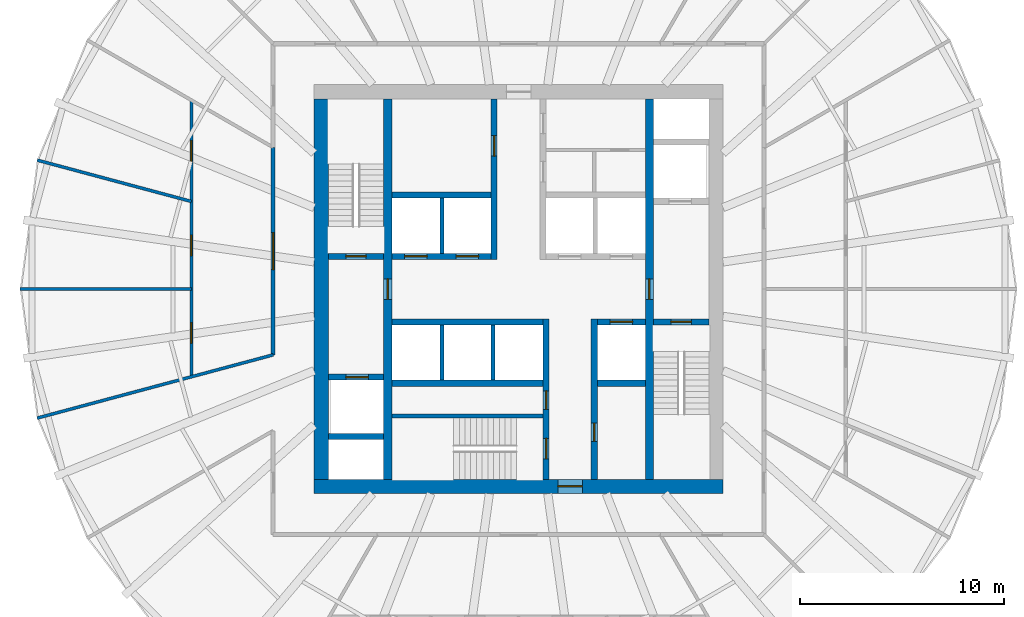
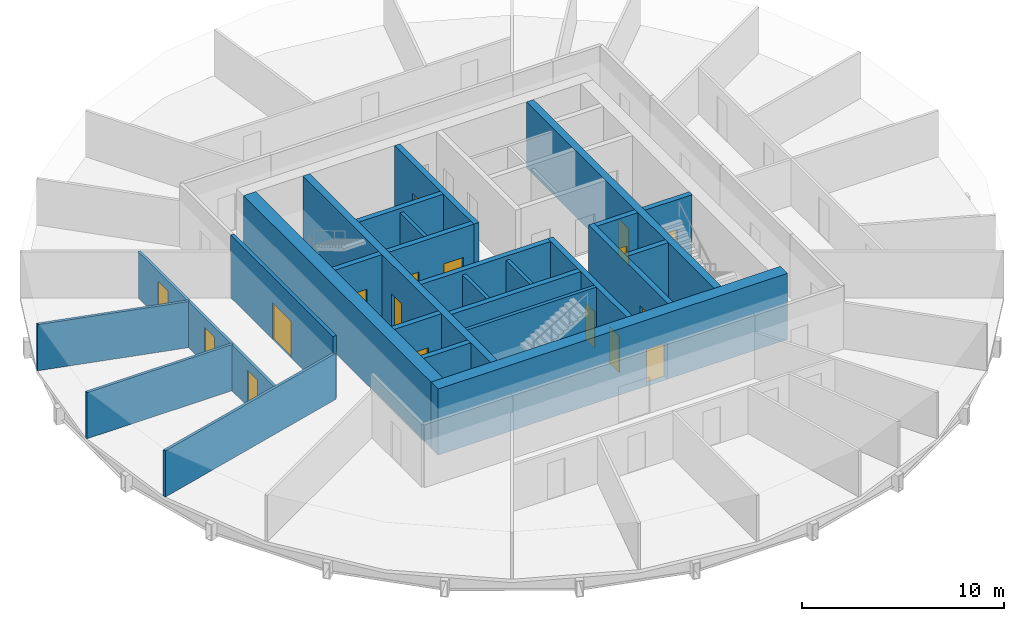
# One storey, part 3 of 6: 26 walls, 17 doors, 17 openings.
"""IFC4 building model written with IfcOpenShell, lengths in metres."""

import ifcopenshell
import ifcopenshell.guid

model = None  # the IFC model being written
_history = None  # IfcOwnerHistory: only IFC2X3 demands one
_inside = {}  # id of a spatial element -> (the spatial element, [elements in it])
_under = {}  # id of a project, library or spatial element -> (it, [spatial elements below it])
_declared = {}  # id of a project -> (the project, [libraries it declares])
_typed = {}  # id of a type object -> (the type object, [elements of that type])
_made_of = {}  # id of a material, layer set ... -> (it, [elements and type objects made of it])


def new_model(schema):
    """Start an empty IFC model of exactly this schema.

    Asked for "IFC4X3", IfcOpenShell would pick the latest addendum, in which some entities
    have other attributes; the version numbers below select the first issue.
    IFC2X3 requires an IfcOwnerHistory on every rooted entity: one is made here for all.
    """
    global model, _history
    if schema == "IFC4X3":
        model = ifcopenshell.file(schema_version=(4, 3, 0, 0))
    else:
        model = ifcopenshell.file(schema=schema)
    _inside.clear()
    _under.clear()
    _declared.clear()
    _typed.clear()
    _made_of.clear()
    _history = None
    if model.schema == "IFC2X3":
        org = make("IfcOrganization", Name="unknown")
        user = make(
            "IfcPersonAndOrganization",
            ThePerson=make("IfcPerson", FamilyName="unknown"),
            TheOrganization=org,
        )
        app = make(
            "IfcApplication",
            ApplicationDeveloper=org,
            Version="unknown",
            ApplicationFullName="unknown",
            ApplicationIdentifier="unknown",
        )
        _history = make(
            "IfcOwnerHistory",
            OwningUser=user,
            OwningApplication=app,
            ChangeAction="ADDED",
            CreationDate=0,
        )
    return model


def make(cls, **values):
    """One entity of the class cls with the attributes given. An attribute that is None is left unset."""
    return model.create_entity(
        cls, **{name: value for name, value in values.items() if value is not None}
    )


def rooted(cls, **values):
    """An entity with a GlobalId (a new one), such as an element, a storey or a relation."""
    return make(cls, GlobalId=ifcopenshell.guid.new(), OwnerHistory=_history, **values)


def si_unit(unit_type, name, prefix=None):
    """IfcSIUnit, for example si_unit("LENGTHUNIT", "METRE", prefix="MILLI")."""
    return make("IfcSIUnit", UnitType=unit_type, Prefix=prefix, Name=name)


def assignment(units):
    """IfcUnitAssignment: the units of a project."""
    return None if units is None else make("IfcUnitAssignment", Units=units)


def point(xyz):
    """IfcCartesianPoint."""
    return None if xyz is None else make("IfcCartesianPoint", Coordinates=xyz)


def direction(xyz):
    """IfcDirection."""
    return None if xyz is None else make("IfcDirection", DirectionRatios=xyz)


def frame(location, z_axis=None, x_axis=None):
    """IfcAxis2Placement3D, a coordinate frame: its origin and axes. An axis left out is left unset."""
    return make(
        "IfcAxis2Placement3D",
        Location=point(location),
        Axis=direction(z_axis),
        RefDirection=direction(x_axis),
    )


def frame_2d(location, x_axis=None):
    """IfcAxis2Placement2D, a coordinate frame in the plane: its origin and x axis."""
    return make(
        "IfcAxis2Placement2D", Location=point(location), RefDirection=direction(x_axis)
    )


def origin():
    """The frame at (0, 0, 0) with its axes left unset."""
    return frame((0.0, 0.0, 0.0))


def place(relative_to, where):
    """IfcLocalPlacement: puts the frame where relative to a parent placement (None: the world)."""
    return make(
        "IfcLocalPlacement", PlacementRelTo=relative_to, RelativePlacement=where
    )


def context(
    kind, dimensions, precision=None, world=None, true_north=None, identifier=None
):
    """IfcGeometricRepresentationContext, for example the 3D "Model" context."""
    return make(
        "IfcGeometricRepresentationContext",
        ContextIdentifier=identifier,
        ContextType=kind,
        CoordinateSpaceDimension=dimensions,
        Precision=precision,
        WorldCoordinateSystem=world,
        TrueNorth=true_north,
    )


def subcontext(parent, identifier, kind, view, scale=None):
    """IfcGeometricRepresentationSubContext, for example "Body" below "Model"."""
    return make(
        "IfcGeometricRepresentationSubContext",
        ContextIdentifier=identifier,
        ContextType=kind,
        ParentContext=parent,
        TargetScale=scale,
        TargetView=view,
    )


def project(units=None, contexts=None):
    """IfcProject with its units and contexts."""
    return rooted(
        "IfcProject",
        Name="project",
        RepresentationContexts=contexts,
        UnitsInContext=assignment(units),
    )


def spatial(cls, under=None, at=None, **own):
    """A site, building, storey or space (cls), placed at a placement, below another one or the project."""
    s = rooted(cls, ObjectPlacement=at, **own)
    if under is not None:
        _under.setdefault(under.id(), (under, []))[1].append(s)
    return s


def profile(cls, at=None, kind="AREA", **sizes):
    """A parametric profile (cls). Its sizes go by their IFC names, for example OverallWidth=200.0."""
    return make(cls, ProfileType=kind, Position=at, **sizes)


def rectangle(**sizes):
    """IfcRectangleProfileDef."""
    return profile("IfcRectangleProfileDef", **sizes)


def extrude(swept, where, along, depth):
    """IfcExtrudedAreaSolid: the profile swept, set in the frame where, extruded along a direction by depth."""
    return make(
        "IfcExtrudedAreaSolid",
        SweptArea=swept,
        Position=where,
        ExtrudedDirection=direction(along),
        Depth=depth,
    )


def shape(context_of_items, identifier, shape_type, items):
    """IfcShapeRepresentation: the items that make up one representation, for example the "Body"."""
    return make(
        "IfcShapeRepresentation",
        ContextOfItems=context_of_items,
        RepresentationIdentifier=identifier,
        RepresentationType=shape_type,
        Items=items,
    )


def material(Name=None, Category=None):
    """IfcMaterial."""
    return make("IfcMaterial", Name=Name, Category=Category)


def layer(
    of_material, thickness, ventilated=None, Name=None, Category=None, Priority=None
):
    """IfcMaterialLayer: one layer of a wall or slab, of a material (None: an air gap)."""
    return make(
        "IfcMaterialLayer",
        Material=of_material,
        LayerThickness=thickness,
        IsVentilated=ventilated,
        Name=Name,
        Category=Category,
        Priority=Priority,
    )


def layer_set(layers, Name=None):
    """IfcMaterialLayerSet."""
    return make("IfcMaterialLayerSet", MaterialLayers=layers, LayerSetName=Name)


def made_of(thing, what):
    """Note that an element or type object is made of a material, layer set ...; save() writes the relation."""
    if what is not None:
        _made_of.setdefault(what.id(), (what, []))[1].append(thing)
    return thing


def type_object(cls, material=None, **own):
    """A type object (cls), such as IfcWallType, which elements share."""
    return made_of(rooted(cls, **own), material)


def element(
    cls,
    number,
    at=None,
    inside=None,
    cuts=None,
    type_object=None,
    material=None,
    context=None,
    identifier="Body",
    shape_type=None,
    held_by="IfcProductDefinitionShape",
    body=None,
    shapes=None,
    **own,
):
    """One element of the class cls, such as IfcWall. Its Tag is "e" and its number.

    at: its placement. inside: the storey or other place that contains it. cuts: it is an
    opening in that element (IfcRelVoidsElement). A single representation is given by context,
    identifier, shape_type and body (its items); several are given by shapes. held_by: the class
    of the entity that holds the representations. save() writes the other relations.
    """
    e = rooted(cls, Tag="e%d" % number, ObjectPlacement=at, **own)
    if body is not None:
        shapes = [shape(context, identifier, shape_type, body)]
    if shapes is not None:
        e.Representation = make(held_by, Representations=shapes)
    if inside is not None:
        _inside.setdefault(inside.id(), (inside, []))[1].append(e)
    if cuts is not None:
        rooted(
            "IfcRelVoidsElement", RelatingBuildingElement=cuts, RelatedOpeningElement=e
        )
    if type_object is not None:
        _typed.setdefault(type_object.id(), (type_object, []))[1].append(e)
    return made_of(e, material)


def fill(opening, filler):
    """IfcRelFillsElement: the door or window that sits in an opening."""
    return rooted(
        "IfcRelFillsElement",
        RelatingOpeningElement=opening,
        RelatedBuildingElement=filler,
    )


def aggregate(whole, parts):
    """IfcRelAggregates: a whole, such as a stair, and the parts it consists of."""
    return rooted("IfcRelAggregates", RelatingObject=whole, RelatedObjects=parts)


def save(model, path):
    """Write the relations noted so far, then the file.

    IfcRelAggregates (storeys below a building ...), IfcRelContainedInSpatialStructure (elements
    in a storey), IfcRelDefinesByType, IfcRelAssociatesMaterial and IfcRelDeclares: one each for
    every whole, place, type object, material and project.
    """
    for whole, parts in _under.values():
        aggregate(whole, parts)
    for where, things in _inside.values():
        rooted(
            "IfcRelContainedInSpatialStructure",
            RelatedElements=things,
            RelatingStructure=where,
        )
    for kind, things in _typed.values():
        rooted("IfcRelDefinesByType", RelatedObjects=things, RelatingType=kind)
    for what, things in _made_of.values():
        rooted("IfcRelAssociatesMaterial", RelatedObjects=things, RelatingMaterial=what)
    for by, libraries in _declared.values():
        rooted("IfcRelDeclares", RelatingContext=by, RelatedDefinitions=libraries)
    model.write(path)


model = new_model("IFC4")

# Units and contexts
model_context = context("Model", 3, precision=1e-05, world=origin(), true_north=direction((0.0, 1.0)))
body_context = subcontext(model_context, "Body", "Model", "MODEL_VIEW")
ifc_project = project(units=[si_unit("LENGTHUNIT", "METRE"), si_unit("AREAUNIT", "SQUARE_METRE"), si_unit("VOLUMEUNIT", "CUBIC_METRE"), si_unit("PLANEANGLEUNIT", "RADIAN"), si_unit("MASSUNIT", "GRAM", prefix="KILO")], contexts=[model_context])

# Site, building, storey
site_placement = place(None, origin())
site = spatial("IfcSite", under=ifc_project, at=site_placement, CompositionType="ELEMENT")
building_placement = place(site_placement, origin())
building = spatial("IfcBuilding", under=site, at=building_placement, Name="Golbaran Civic Tower", CompositionType="ELEMENT")
storey_placement = place(building_placement, frame((0.0, 0.0, 94.0)))
storey = spatial("IfcBuildingStorey", under=building, at=storey_placement, Name="L22", CompositionType="ELEMENT", Elevation=94.0)

# Wall, opening, door
ifc_material_1 = material(Name="Concrete C50/60", Category="concrete")
ifc_layer_1 = layer(ifc_material_1, 0.39990234375, Name="Concrete C50/60")
ifc_layer_set_1 = layer_set([ifc_layer_1], Name="Concrete C50/60")
wall_type_1 = type_object("IfcWallType", Name="CORE WALL CONCRETE 400", PredefinedType="SOLIDWALL", material=ifc_layer_set_1)
wall_1_placement = place(storey_placement, frame((-6.39990234375, -9.300048828125, 0.0), z_axis=(0.0, 0.0, 1.0), x_axis=(0.0, 1.0, 0.0)))
wall_1 = element("IfcWall", 1, at=wall_1_placement, inside=storey, type_object=wall_type_1, Name="Core wall IW L22", PredefinedType="SOLIDWALL", context=body_context, shape_type="SweptSolid", body=[
    extrude(rectangle(XDim=18.60009765625, YDim=0.39990234375, at=frame_2d((9.300048828125, 0.0))), origin(), (0.0, 0.0, 1.0), 4.0),
])
opening_1_placement = place(wall_1_placement, frame((8.800048828125, 0.0, 0.0)))
opening_1 = element("IfcOpeningElement", 2, at=opening_1_placement, cuts=wall_1, Name="Opening L22.FL1", PredefinedType="OPENING", context=body_context, shape_type="SweptSolid", body=[
    extrude(rectangle(XDim=1.0, YDim=2.199951171875, at=frame_2d((0.5, 1.10009765625))), frame((0.0, 0.2099609375, 0.0), z_axis=(0.0, -1.0, 0.0), x_axis=(1.0, 0.0, 0.0)), (0.0, 0.0, 1.0), 0.419921875),
])
ifc_material_2 = material(Name="Timber door set in steel frame", Category="steel")
door_type_1 = type_object("IfcDoorType", Name="STAIR DOOR 1000x2200", OperationType="SINGLE_SWING_LEFT", PredefinedType="DOOR", material=ifc_material_2)
door_1_placement = place(opening_1_placement, origin())
door_1 = element("IfcDoor", 3, at=door_1_placement, inside=storey, type_object=door_type_1, Name="Fire-fighting lobby FL1 door", OperationType="SINGLE_SWING_LEFT", OverallHeight=2.199951171875, OverallWidth=1.0, PredefinedType="DOOR", context=body_context, shape_type="SweptSolid", body=[
    extrude(rectangle(XDim=1.0, YDim=2.199951171875, at=frame_2d((0.5, 1.10009765625))), frame((0.0, 0.02490234375, 0.0), z_axis=(0.0, -1.0, 0.0), x_axis=(1.0, 0.0, 0.0)), (0.0, 0.0, 1.0), 0.050048828125),
])
fill(opening_1, door_1)

wall_2_placement = place(storey_placement, frame((6.39990234375, 9.300048828125, 0.0), z_axis=(0.0, 0.0, 1.0), x_axis=(0.0, -1.0, 0.0)))
wall_2 = element("IfcWall", 4, at=wall_2_placement, inside=storey, type_object=wall_type_1, Name="Core wall IE L22", PredefinedType="SOLIDWALL", context=body_context, shape_type="SweptSolid", body=[
    extrude(rectangle(XDim=18.60009765625, YDim=0.39990234375, at=frame_2d((9.300048828125, 0.0))), origin(), (0.0, 0.0, 1.0), 4.0),
])
opening_2_placement = place(wall_2_placement, frame((8.800048828125, 0.0, 0.0)))
opening_2 = element("IfcOpeningElement", 5, at=opening_2_placement, cuts=wall_2, Name="Opening L22.FL2", PredefinedType="OPENING", context=body_context, shape_type="SweptSolid", body=[
    extrude(rectangle(XDim=1.0, YDim=2.199951171875, at=frame_2d((0.5, 1.10009765625))), frame((0.0, 0.2099609375, 0.0), z_axis=(0.0, -1.0, 0.0), x_axis=(1.0, 0.0, 0.0)), (0.0, 0.0, 1.0), 0.419921875),
])
door_2_placement = place(opening_2_placement, origin())
door_2 = element("IfcDoor", 6, at=door_2_placement, inside=storey, type_object=door_type_1, Name="Fire-fighting lobby FL2 door", OperationType="SINGLE_SWING_RIGHT", OverallHeight=2.199951171875, OverallWidth=1.0, PredefinedType="DOOR", context=body_context, shape_type="SweptSolid", body=[
    extrude(rectangle(XDim=1.0, YDim=2.199951171875, at=frame_2d((0.5, 1.10009765625))), frame((0.0, 0.02490234375, 0.0), z_axis=(0.0, -1.0, 0.0), x_axis=(1.0, 0.0, 0.0)), (0.0, 0.0, 1.0), 0.050048828125),
])
fill(opening_2, door_2)

ifc_layer_2 = layer(ifc_material_1, 0.699951171875, Name="Concrete C50/60")
ifc_layer_set_2 = layer_set([ifc_layer_2], Name="Concrete C50/60")
wall_type_2 = type_object("IfcWallType", Name="CORE WALL CONCRETE 700", PredefinedType="SOLIDWALL", material=ifc_layer_set_2)
wall_3_placement = place(storey_placement, frame((10.0, -9.64990234375, 0.0), z_axis=(0.0, 0.0, 1.0), x_axis=(-1.0, 0.0, 0.0)))
wall_3 = element("IfcWall", 7, at=wall_3_placement, inside=storey, type_object=wall_type_2, Name="Core wall CS L22", PredefinedType="SOLIDWALL", context=body_context, shape_type="SweptSolid", body=[
    extrude(rectangle(XDim=20.0, YDim=0.699951171875, at=frame_2d((10.0, 0.0))), origin(), (0.0, 0.0, 1.0), 4.0),
])
opening_3_placement = place(wall_3_placement, frame((6.875, 0.0, 0.0)))
opening_3 = element("IfcOpeningElement", 8, at=opening_3_placement, cuts=wall_3, Name="Opening L22.CS", PredefinedType="OPENING", context=body_context, shape_type="SweptSolid", body=[
    extrude(rectangle(XDim=1.199951171875, YDim=2.199951171875, at=frame_2d((0.60009765625, 1.10009765625))), frame((0.0, 0.35986328125, 0.0), z_axis=(0.0, -1.0, 0.0), x_axis=(1.0, 0.0, 0.0)), (0.0, 0.0, 1.0), 0.719970703125),
])
door_type_2 = type_object("IfcDoorType", Name="CORE DOOR 1200x2200", OperationType="DOUBLE_DOOR_SINGLE_SWING", PredefinedType="DOOR", material=ifc_material_2)
door_3_placement = place(opening_3_placement, origin())
door_3 = element("IfcDoor", 9, at=door_3_placement, inside=storey, type_object=door_type_2, Name="Core door south", OperationType="DOUBLE_DOOR_SINGLE_SWING", OverallHeight=2.199951171875, OverallWidth=1.199951171875, PredefinedType="DOOR", context=body_context, shape_type="SweptSolid", body=[
    extrude(rectangle(XDim=1.199951171875, YDim=2.199951171875, at=frame_2d((0.60009765625, 1.10009765625))), frame((0.0, 0.02490234375, 0.0), z_axis=(0.0, -1.0, 0.0), x_axis=(1.0, 0.0, 0.0)), (0.0, 0.0, 1.0), 0.050048828125),
])
fill(opening_3, door_3)

# Wall
wall_4_placement = place(storey_placement, frame((-9.64990234375, 9.300048828125, 0.0), z_axis=(0.0, 0.0, 1.0), x_axis=(0.0, -1.0, 0.0)))
element("IfcWall", 10, at=wall_4_placement, inside=storey, type_object=wall_type_2, Name="Core wall CW L22", PredefinedType="SOLIDWALL", context=body_context, shape_type="SweptSolid", body=[
    extrude(rectangle(XDim=18.60009765625, YDim=0.699951171875, at=frame_2d((9.300048828125, 0.0))), origin(), (0.0, 0.0, 1.0), 4.0),
])

# Wall, opening, door
ifc_material_3 = material(Name="Gypsum board on steel studs, fire-rated", Category="steel")
ifc_layer_3 = layer(ifc_material_3, 0.199951171875, Name="Gypsum board on steel studs, fire-rated")
ifc_layer_set_3 = layer_set([ifc_layer_3], Name="Gypsum board on steel studs, fire-rated")
wall_type_3 = type_object("IfcWallType", Name="CORRIDOR WALL 200", PredefinedType="PARTITIONING", material=ifc_layer_set_3)
wall_5_placement = place(storey_placement, frame((-12.0, 6.92822265625, 0.0), z_axis=(0.0, 0.0, 1.0), x_axis=(0.0, -1.0, 0.0)))
wall_5 = element("IfcWall", 11, at=wall_5_placement, inside=storey, type_object=wall_type_3, Name="Corridor wall L22", PredefinedType="PARTITIONING", context=body_context, shape_type="SweptSolid", body=[
    extrude(rectangle(XDim=10.1435546875, YDim=0.199951171875, at=frame_2d((5.07177734375, 0.0))), origin(), (0.0, 0.0, 1.0), 3.800048828125),
])
opening_4_placement = place(wall_5_placement, frame((4.171875, 0.0, 0.0)))
opening_4 = element("IfcOpeningElement", 12, at=opening_4_placement, cuts=wall_5, Name="Opening L22.24", PredefinedType="OPENING", context=body_context, shape_type="SweptSolid", body=[
    extrude(rectangle(XDim=1.800048828125, YDim=2.199951171875, at=frame_2d((0.89990234375, 1.10009765625))), frame((0.0, 0.10986328125, 0.0), z_axis=(0.0, -1.0, 0.0), x_axis=(1.0, 0.0, 0.0)), (0.0, 0.0, 1.0), 0.219970703125),
])
door_type_3 = type_object("IfcDoorType", Name="OFFICE DOUBLE DOOR 1800x2200", OperationType="DOUBLE_DOOR_SINGLE_SWING", PredefinedType="DOOR", material=ifc_material_2)
door_4_placement = place(opening_4_placement, origin())
door_4 = element("IfcDoor", 13, at=door_4_placement, inside=storey, type_object=door_type_3, Name="Secretariat door L22", OperationType="DOUBLE_DOOR_SINGLE_SWING", OverallHeight=2.199951171875, OverallWidth=1.800048828125, PredefinedType="DOOR", context=body_context, shape_type="SweptSolid", body=[
    extrude(rectangle(XDim=1.800048828125, YDim=2.199951171875, at=frame_2d((0.89990234375, 1.10009765625))), frame((0.0, 0.02490234375, 0.0), z_axis=(0.0, -1.0, 0.0), x_axis=(1.0, 0.0, 0.0)), (0.0, 0.0, 1.0), 0.050048828125),
])
fill(opening_4, door_4)

# Walls
ifc_material_4 = material(Name="Concrete block", Category="concrete")
ifc_layer_4 = layer(ifc_material_4, 0.199951171875, Name="Concrete block")
ifc_layer_set_4 = layer_set([ifc_layer_4], Name="Concrete block")
wall_type_4 = type_object("IfcWallType", Name="LIFT SEPARATOR WALL 200", PredefinedType="SOLIDWALL", material=ifc_layer_set_4)
for number, where, z_axis, x_axis, name in (
    (14, (-3.75, 1.75, 0.0), (0.0, 0.0, 1.0), (0.0, 1.0, 0.0), "Core partition SNW L22"),
    (15, (-3.75, -1.75, 0.0), (0.0, 0.0, 1.0), (0.0, -1.0, 0.0), "Core partition SSW L22"),
    (16, (-1.25, -1.75, 0.0), (0.0, 0.0, 1.0), (0.0, -1.0, 0.0), "Core partition SSM L22"),
):
    element("IfcWall", number, at=place(storey_placement, frame(where, z_axis=z_axis, x_axis=x_axis)), inside=storey, type_object=wall_type_4, Name=name, PredefinedType="SOLIDWALL", context=body_context, shape_type="SweptSolid", body=[
        extrude(rectangle(XDim=2.699951171875, YDim=0.199951171875, at=frame_2d((1.35009765625, 0.0))), origin(), (0.0, 0.0, 1.0), 3.75),
    ])
ifc_material_5 = material(Name="Gypsum board on steel studs", Category="steel")
ifc_layer_5 = layer(ifc_material_5, 0.14990234375, Name="Gypsum board on steel studs")
ifc_layer_set_5 = layer_set([ifc_layer_5], Name="Gypsum board on steel studs")
wall_type_5 = type_object("IfcWallType", Name="OFFICE PARTITION 150", PredefinedType="PARTITIONING", material=ifc_layer_set_5)
wall_6_placement = place(storey_placement, frame((-12.0, -3.21533203125, 0.0), z_axis=(0.0, 0.0, 1.0), x_axis=(-0.965926615498, -0.258816099716, 0.0)))
element("IfcWall", 17, at=wall_6_placement, inside=storey, type_object=wall_type_5, Name="Partition 195 L22", PredefinedType="PARTITIONING", context=body_context, shape_type="SweptSolid", body=[
    extrude(rectangle(XDim=11.94677734375, YDim=0.14990234375, at=frame_2d((5.973388671875, 0.0))), origin(), (0.0, 0.0, 1.0), 2.7900390625),
])

# Wall, openings, doors
wall_7_placement = place(storey_placement, frame((-16.0, 9.237548828125, 0.0), z_axis=(0.0, 0.0, 1.0), x_axis=(0.0, -1.0, 0.0)))
wall_7 = element("IfcWall", 18, at=wall_7_placement, inside=storey, type_object=wall_type_5, Name="Suite partition L22", PredefinedType="PARTITIONING", context=body_context, shape_type="SweptSolid", body=[
    extrude(rectangle(XDim=13.524658203125, YDim=0.14990234375, at=frame_2d((6.76220703125, 0.0))), origin(), (0.0, 0.0, 1.0), 2.7900390625),
])
opening_5_placement = place(wall_7_placement, frame((1.97509765625, 0.0, 0.0)))
opening_5 = element("IfcOpeningElement", 19, at=opening_5_placement, cuts=wall_7, Name="Opening L22.08", PredefinedType="OPENING", context=body_context, shape_type="SweptSolid", body=[
    extrude(rectangle(XDim=1.0, YDim=2.199951171875, at=frame_2d((0.5, 1.10009765625))), frame((0.0, 0.0849609375, 0.0), z_axis=(0.0, -1.0, 0.0), x_axis=(1.0, 0.0, 0.0)), (0.0, 0.0, 1.0), 0.169921875),
])
opening_6_placement = place(wall_7_placement, frame((6.593994140625, 0.0, 0.0)))
opening_6 = element("IfcOpeningElement", 20, at=opening_6_placement, cuts=wall_7, Name="Opening L22.09", PredefinedType="OPENING", context=body_context, shape_type="SweptSolid", body=[
    extrude(rectangle(XDim=1.0, YDim=2.199951171875, at=frame_2d((0.5, 1.10009765625))), frame((0.0, 0.0849609375, 0.0), z_axis=(0.0, -1.0, 0.0), x_axis=(1.0, 0.0, 0.0)), (0.0, 0.0, 1.0), 0.169921875),
])
opening_7_placement = place(wall_7_placement, frame((10.881103515625, 0.0, 0.0)))
opening_7 = element("IfcOpeningElement", 21, at=opening_7_placement, cuts=wall_7, Name="Opening L22.10", PredefinedType="OPENING", context=body_context, shape_type="SweptSolid", body=[
    extrude(rectangle(XDim=1.0, YDim=2.199951171875, at=frame_2d((0.5, 1.10009765625))), frame((0.0, 0.0849609375, 0.0), z_axis=(0.0, -1.0, 0.0), x_axis=(1.0, 0.0, 0.0)), (0.0, 0.0, 1.0), 0.169921875),
])
door_type_4 = type_object("IfcDoorType", Name="OFFICE DOOR 1000x2200", OperationType="SINGLE_SWING_LEFT", PredefinedType="DOOR", material=ifc_material_2)
door_5_placement = place(opening_5_placement, origin())
door_5 = element("IfcDoor", 22, at=door_5_placement, inside=storey, type_object=door_type_4, Name="Office door L22", OperationType="SINGLE_SWING_LEFT", OverallHeight=2.199951171875, OverallWidth=1.0, PredefinedType="DOOR", context=body_context, shape_type="SweptSolid", body=[
    extrude(rectangle(XDim=1.0, YDim=2.199951171875, at=frame_2d((0.5, 1.10009765625))), frame((0.0, 0.02490234375, 0.0), z_axis=(0.0, -1.0, 0.0), x_axis=(1.0, 0.0, 0.0)), (0.0, 0.0, 1.0), 0.050048828125),
])
fill(opening_5, door_5)
door_6_placement = place(opening_6_placement, origin())
door_6 = element("IfcDoor", 23, at=door_6_placement, inside=storey, type_object=door_type_4, Name="Office door L22", OperationType="SINGLE_SWING_RIGHT", OverallHeight=2.199951171875, OverallWidth=1.0, PredefinedType="DOOR", context=body_context, shape_type="SweptSolid", body=[
    extrude(rectangle(XDim=1.0, YDim=2.199951171875, at=frame_2d((0.5, 1.10009765625))), frame((0.0, 0.02490234375, 0.0), z_axis=(0.0, -1.0, 0.0), x_axis=(1.0, 0.0, 0.0)), (0.0, 0.0, 1.0), 0.050048828125),
])
fill(opening_6, door_6)
door_7_placement = place(opening_7_placement, origin())
door_7 = element("IfcDoor", 24, at=door_7_placement, inside=storey, type_object=door_type_4, Name="Office door L22", OperationType="SINGLE_SWING_RIGHT", OverallHeight=2.199951171875, OverallWidth=1.0, PredefinedType="DOOR", context=body_context, shape_type="SweptSolid", body=[
    extrude(rectangle(XDim=1.0, YDim=2.199951171875, at=frame_2d((0.5, 1.10009765625))), frame((0.0, 0.02490234375, 0.0), z_axis=(0.0, -1.0, 0.0), x_axis=(1.0, 0.0, 0.0)), (0.0, 0.0, 1.0), 0.050048828125),
])
fill(opening_7, door_7)

# Walls
wall_8_placement = place(storey_placement, frame((-16.0, 4.287109375, 0.0), z_axis=(0.0, 0.0, 1.0), x_axis=(-0.965926412025, 0.258816859097, 0.0)))
element("IfcWall", 25, at=wall_8_placement, inside=storey, type_object=wall_type_5, Name="Partition 165 L22", PredefinedType="PARTITIONING", context=body_context, shape_type="SweptSolid", body=[
    extrude(rectangle(XDim=7.8056640625, YDim=0.14990234375, at=frame_2d((3.90283203125, 0.0))), origin(), (0.0, 0.0, 1.0), 2.7900390625),
])
wall_9_placement = place(storey_placement, frame((-16.0, 0.0, 0.0), z_axis=(0.0, 0.0, 1.0), x_axis=(-1.0, 0.0, 0.0)))
element("IfcWall", 26, at=wall_9_placement, inside=storey, type_object=wall_type_5, Name="Partition 180 L22", PredefinedType="PARTITIONING", context=body_context, shape_type="SweptSolid", body=[
    extrude(rectangle(XDim=8.3701171875, YDim=0.14990234375, at=frame_2d((4.18505859375, 0.0))), origin(), (0.0, 0.0, 1.0), 2.7900390625),
])
ifc_layer_6 = layer(ifc_material_1, 0.199951171875, Name="Concrete C50/60")
ifc_layer_set_6 = layer_set([ifc_layer_6], Name="Concrete C50/60")
wall_type_6 = type_object("IfcWallType", Name="SHAFT WALL CONCRETE 200", PredefinedType="SOLIDWALL", material=ifc_layer_set_6)
wall_10_placement = place(storey_placement, frame((-6.199951171875, -6.199951171875, 0.0), z_axis=(0.0, 0.0, 1.0), x_axis=(1.0, 0.0, 0.0)))
element("IfcWall", 27, at=wall_10_placement, inside=storey, type_object=wall_type_6, Name="Core wall S3N L22", PredefinedType="SOLIDWALL", context=body_context, shape_type="SweptSolid", body=[
    extrude(rectangle(XDim=7.39990234375, YDim=0.199951171875, at=frame_2d((3.699951171875, 0.0))), origin(), (0.0, 0.0, 1.0), 4.0),
])

# Wall, openings, doors
ifc_layer_7 = layer(ifc_material_1, 0.300048828125, Name="Concrete C50/60")
ifc_layer_set_7 = layer_set([ifc_layer_7], Name="Concrete C50/60")
wall_type_7 = type_object("IfcWallType", Name="SHAFT WALL CONCRETE 300", PredefinedType="SOLIDWALL", material=ifc_layer_set_7)
wall_11_placement = place(storey_placement, frame((-6.199951171875, 1.60009765625, 0.0), z_axis=(0.0, 0.0, 1.0), x_axis=(1.0, 0.0, 0.0)))
wall_11 = element("IfcWall", 28, at=wall_11_placement, inside=storey, type_object=wall_type_7, Name="Core wall FNW L22", PredefinedType="SOLIDWALL", context=body_context, shape_type="SweptSolid", body=[
    extrude(rectangle(XDim=4.849853515625, YDim=0.300048828125, at=frame_2d((2.4248046875, 0.0))), origin(), (0.0, 0.0, 1.0), 4.0),
])
opening_8_placement = place(wall_11_placement, frame((0.625, 0.0, 0.0)))
opening_8 = element("IfcOpeningElement", 29, at=opening_8_placement, cuts=wall_11, Name="Opening L22.LD-Z1M", PredefinedType="OPENING", context=body_context, shape_type="SweptSolid", body=[
    extrude(rectangle(XDim=1.10009765625, YDim=2.199951171875, at=frame_2d((0.550048828125, 1.10009765625))), frame((0.0, 0.159912109375, 0.0), z_axis=(0.0, -1.0, 0.0), x_axis=(1.0, 0.0, 0.0)), (0.0, 0.0, 1.0), 0.320068359375),
])
opening_9_placement = place(wall_11_placement, frame((3.14990234375, 0.0, 0.0)))
opening_9 = element("IfcOpeningElement", 30, at=opening_9_placement, cuts=wall_11, Name="Opening L22.LD-Z2M", PredefinedType="OPENING", context=body_context, shape_type="SweptSolid", body=[
    extrude(rectangle(XDim=1.10009765625, YDim=2.199951171875, at=frame_2d((0.550048828125, 1.10009765625))), frame((0.0, 0.159912109375, 0.0), z_axis=(0.0, -1.0, 0.0), x_axis=(1.0, 0.0, 0.0)), (0.0, 0.0, 1.0), 0.320068359375),
])
ifc_material_6 = material(Name="Stainless steel", Category="steel")
door_type_5 = type_object("IfcDoorType", Name="LIFT LANDING DOOR 1100x2200", OperationType="SLIDING_TO_LEFT", PredefinedType="DOOR", material=ifc_material_6)
door_8_placement = place(opening_8_placement, origin())
door_8 = element("IfcDoor", 31, at=door_8_placement, inside=storey, type_object=door_type_5, Name="Lift landing door Z1M", OperationType="SLIDING_TO_LEFT", OverallHeight=2.199951171875, OverallWidth=1.10009765625, PredefinedType="DOOR", context=body_context, shape_type="SweptSolid", body=[
    extrude(rectangle(XDim=1.10009765625, YDim=2.199951171875, at=frame_2d((0.550048828125, 1.10009765625))), frame((0.0, 0.02490234375, 0.0), z_axis=(0.0, -1.0, 0.0), x_axis=(1.0, 0.0, 0.0)), (0.0, 0.0, 1.0), 0.050048828125),
])
fill(opening_8, door_8)
door_9_placement = place(opening_9_placement, origin())
door_9 = element("IfcDoor", 32, at=door_9_placement, inside=storey, type_object=door_type_5, Name="Lift landing door Z2M", OperationType="SLIDING_TO_LEFT", OverallHeight=2.199951171875, OverallWidth=1.10009765625, PredefinedType="DOOR", context=body_context, shape_type="SweptSolid", body=[
    extrude(rectangle(XDim=1.10009765625, YDim=2.199951171875, at=frame_2d((0.550048828125, 1.10009765625))), frame((0.0, 0.02490234375, 0.0), z_axis=(0.0, -1.0, 0.0), x_axis=(1.0, 0.0, 0.0)), (0.0, 0.0, 1.0), 0.050048828125),
])
fill(opening_9, door_9)

# Wall
wall_12_placement = place(storey_placement, frame((-6.199951171875, 4.60009765625, 0.0), z_axis=(0.0, 0.0, 1.0), x_axis=(1.0, 0.0, 0.0)))
element("IfcWall", 33, at=wall_12_placement, inside=storey, type_object=wall_type_7, Name="Core wall BNW L22", PredefinedType="SOLIDWALL", context=body_context, shape_type="SweptSolid", body=[
    extrude(rectangle(XDim=4.849853515625, YDim=0.300048828125, at=frame_2d((2.4248046875, 0.0))), origin(), (0.0, 0.0, 1.0), 4.0),
])

# Wall, opening, door
wall_13_placement = place(storey_placement, frame((-1.199951171875, 1.449951171875, 0.0), z_axis=(0.0, 0.0, 1.0), x_axis=(0.0, 1.0, 0.0)))
wall_13 = element("IfcWall", 34, at=wall_13_placement, inside=storey, type_object=wall_type_7, Name="Core wall PNW L22", PredefinedType="SOLIDWALL", context=body_context, shape_type="SweptSolid", body=[
    extrude(rectangle(XDim=7.85009765625, YDim=0.300048828125, at=frame_2d((3.925048828125, 0.0))), origin(), (0.0, 0.0, 1.0), 4.0),
])
opening_10_placement = place(wall_13_placement, frame((5.050048828125, 0.0, 0.0)))
opening_10 = element("IfcOpeningElement", 35, at=opening_10_placement, cuts=wall_13, Name="Opening L22.WCM", PredefinedType="OPENING", context=body_context, shape_type="SweptSolid", body=[
    extrude(rectangle(XDim=1.0, YDim=2.199951171875, at=frame_2d((0.5, 1.10009765625))), frame((0.0, 0.159912109375, 0.0), z_axis=(0.0, -1.0, 0.0), x_axis=(1.0, 0.0, 0.0)), (0.0, 0.0, 1.0), 0.320068359375),
])
door_type_6 = type_object("IfcDoorType", Name="TOILET DOOR 1000x2200", OperationType="SINGLE_SWING_LEFT", PredefinedType="DOOR", material=ifc_material_2)
door_10_placement = place(opening_10_placement, origin())
door_10 = element("IfcDoor", 36, at=door_10_placement, inside=storey, type_object=door_type_6, Name="North-west toilet block door", OperationType="SINGLE_SWING_RIGHT", OverallHeight=2.199951171875, OverallWidth=1.0, PredefinedType="DOOR", context=body_context, shape_type="SweptSolid", body=[
    extrude(rectangle(XDim=1.0, YDim=2.199951171875, at=frame_2d((0.5, 1.10009765625))), frame((0.0, 0.02490234375, 0.0), z_axis=(0.0, -1.0, 0.0), x_axis=(1.0, 0.0, 0.0)), (0.0, 0.0, 1.0), 0.050048828125),
])
fill(opening_10, door_10)

# Wall
wall_14_placement = place(storey_placement, frame((-6.199951171875, -1.60009765625, 0.0), z_axis=(0.0, 0.0, 1.0), x_axis=(1.0, 0.0, 0.0)))
element("IfcWall", 37, at=wall_14_placement, inside=storey, type_object=wall_type_7, Name="Core wall FSW L22", PredefinedType="SOLIDWALL", context=body_context, shape_type="SweptSolid", body=[
    extrude(rectangle(XDim=7.39990234375, YDim=0.300048828125, at=frame_2d((3.699951171875, 0.0))), origin(), (0.0, 0.0, 1.0), 4.0),
])

# Wall, opening, door
wall_15_placement = place(storey_placement, frame((3.85009765625, -1.60009765625, 0.0), z_axis=(0.0, 0.0, 1.0), x_axis=(1.0, 0.0, 0.0)))
wall_15 = element("IfcWall", 38, at=wall_15_placement, inside=storey, type_object=wall_type_7, Name="Core wall FSE L22", PredefinedType="SOLIDWALL", context=body_context, shape_type="SweptSolid", body=[
    extrude(rectangle(XDim=2.349853515625, YDim=0.300048828125, at=frame_2d((1.1748046875, 0.0))), origin(), (0.0, 0.0, 1.0), 4.0),
])
opening_11_placement = place(wall_15_placement, frame((0.625, 0.0, 0.0)))
opening_11 = element("IfcOpeningElement", 39, at=opening_11_placement, cuts=wall_15, Name="Opening L22.LD-V1", PredefinedType="OPENING", context=body_context, shape_type="SweptSolid", body=[
    extrude(rectangle(XDim=1.10009765625, YDim=2.199951171875, at=frame_2d((0.550048828125, 1.10009765625))), frame((0.0, 0.159912109375, 0.0), z_axis=(0.0, -1.0, 0.0), x_axis=(1.0, 0.0, 0.0)), (0.0, 0.0, 1.0), 0.320068359375),
])
door_11_placement = place(opening_11_placement, origin())
door_11 = element("IfcDoor", 40, at=door_11_placement, inside=storey, type_object=door_type_5, Name="Lift landing door V1", OperationType="SLIDING_TO_LEFT", OverallHeight=2.199951171875, OverallWidth=1.10009765625, PredefinedType="DOOR", context=body_context, shape_type="SweptSolid", body=[
    extrude(rectangle(XDim=1.10009765625, YDim=2.199951171875, at=frame_2d((0.550048828125, 1.10009765625))), frame((0.0, 0.02490234375, 0.0), z_axis=(0.0, -1.0, 0.0), x_axis=(1.0, 0.0, 0.0)), (0.0, 0.0, 1.0), 0.050048828125),
])
fill(opening_11, door_11)

# Walls
wall_16_placement = place(storey_placement, frame((-6.199951171875, -4.60009765625, 0.0), z_axis=(0.0, 0.0, 1.0), x_axis=(1.0, 0.0, 0.0)))
element("IfcWall", 41, at=wall_16_placement, inside=storey, type_object=wall_type_7, Name="Core wall BSW L22", PredefinedType="SOLIDWALL", context=body_context, shape_type="SweptSolid", body=[
    extrude(rectangle(XDim=7.39990234375, YDim=0.300048828125, at=frame_2d((3.699951171875, 0.0))), origin(), (0.0, 0.0, 1.0), 4.0),
])
wall_17_placement = place(storey_placement, frame((3.85009765625, -4.60009765625, 0.0), z_axis=(0.0, 0.0, 1.0), x_axis=(1.0, 0.0, 0.0)))
element("IfcWall", 42, at=wall_17_placement, inside=storey, type_object=wall_type_7, Name="Core wall BSE L22", PredefinedType="SOLIDWALL", context=body_context, shape_type="SweptSolid", body=[
    extrude(rectangle(XDim=2.349853515625, YDim=0.300048828125, at=frame_2d((1.1748046875, 0.0))), origin(), (0.0, 0.0, 1.0), 4.0),
])

# Wall, openings, doors
wall_18_placement = place(storey_placement, frame((1.35009765625, -1.449951171875, 0.0), z_axis=(0.0, 0.0, 1.0), x_axis=(0.0, -1.0, 0.0)))
wall_18 = element("IfcWall", 43, at=wall_18_placement, inside=storey, type_object=wall_type_7, Name="Core wall PSW L22", PredefinedType="SOLIDWALL", context=body_context, shape_type="SweptSolid", body=[
    extrude(rectangle(XDim=7.85009765625, YDim=0.300048828125, at=frame_2d((3.925048828125, 0.0))), origin(), (0.0, 0.0, 1.0), 4.0),
])
opening_12_placement = place(wall_18_placement, frame((5.85009765625, 0.0, 0.0)))
opening_12 = element("IfcOpeningElement", 44, at=opening_12_placement, cuts=wall_18, Name="Opening L22.S3", PredefinedType="OPENING", context=body_context, shape_type="SweptSolid", body=[
    extrude(rectangle(XDim=1.0, YDim=2.199951171875, at=frame_2d((0.5, 1.10009765625))), frame((0.0, 0.159912109375, 0.0), z_axis=(0.0, -1.0, 0.0), x_axis=(1.0, 0.0, 0.0)), (0.0, 0.0, 1.0), 0.320068359375),
])
opening_13_placement = place(wall_18_placement, frame((3.52490234375, 0.0, 0.0)))
opening_13 = element("IfcOpeningElement", 45, at=opening_13_placement, cuts=wall_18, Name="Opening L22.RE", PredefinedType="OPENING", context=body_context, shape_type="SweptSolid", body=[
    extrude(rectangle(XDim=0.89990234375, YDim=2.199951171875, at=frame_2d((0.449951171875, 1.10009765625))), frame((0.0, 0.159912109375, 0.0), z_axis=(0.0, -1.0, 0.0), x_axis=(1.0, 0.0, 0.0)), (0.0, 0.0, 1.0), 0.320068359375),
])
door_type_7 = type_object("IfcDoorType", Name="RISER DOOR 900x2200", OperationType="SINGLE_SWING_LEFT", PredefinedType="DOOR", material=ifc_material_2)
door_12_placement = place(opening_13_placement, origin())
door_12 = element("IfcDoor", 46, at=door_12_placement, inside=storey, type_object=door_type_7, Name="Electrical riser door", OperationType="SINGLE_SWING_RIGHT", OverallHeight=2.199951171875, OverallWidth=0.89990234375, PredefinedType="DOOR", context=body_context, shape_type="SweptSolid", body=[
    extrude(rectangle(XDim=0.89990234375, YDim=2.199951171875, at=frame_2d((0.449951171875, 1.10009765625))), frame((0.0, 0.02490234375, 0.0), z_axis=(0.0, -1.0, 0.0), x_axis=(1.0, 0.0, 0.0)), (0.0, 0.0, 1.0), 0.050048828125),
])
fill(opening_13, door_12)
door_13_placement = place(opening_12_placement, origin())
door_13 = element("IfcDoor", 47, at=door_13_placement, inside=storey, type_object=door_type_1, Name="Stair S3 door", OperationType="SINGLE_SWING_RIGHT", OverallHeight=2.199951171875, OverallWidth=1.0, PredefinedType="DOOR", context=body_context, shape_type="SweptSolid", body=[
    extrude(rectangle(XDim=1.0, YDim=2.199951171875, at=frame_2d((0.5, 1.10009765625))), frame((0.0, 0.02490234375, 0.0), z_axis=(0.0, -1.0, 0.0), x_axis=(1.0, 0.0, 0.0)), (0.0, 0.0, 1.0), 0.050048828125),
])
fill(opening_12, door_13)

# Wall, opening, door
wall_19_placement = place(storey_placement, frame((3.699951171875, -1.449951171875, 0.0), z_axis=(0.0, 0.0, 1.0), x_axis=(0.0, -1.0, 0.0)))
wall_19 = element("IfcWall", 48, at=wall_19_placement, inside=storey, type_object=wall_type_7, Name="Core wall PSE L22", PredefinedType="SOLIDWALL", context=body_context, shape_type="SweptSolid", body=[
    extrude(rectangle(XDim=7.85009765625, YDim=0.300048828125, at=frame_2d((3.925048828125, 0.0))), origin(), (0.0, 0.0, 1.0), 4.0),
])
opening_14_placement = place(wall_19_placement, frame((5.10009765625, 0.0, 0.0)))
opening_14 = element("IfcOpeningElement", 49, at=opening_14_placement, cuts=wall_19, Name="Opening L22.RM", PredefinedType="OPENING", context=body_context, shape_type="SweptSolid", body=[
    extrude(rectangle(XDim=0.89990234375, YDim=2.199951171875, at=frame_2d((0.449951171875, 1.10009765625))), frame((0.0, 0.159912109375, 0.0), z_axis=(0.0, -1.0, 0.0), x_axis=(1.0, 0.0, 0.0)), (0.0, 0.0, 1.0), 0.320068359375),
])
door_14_placement = place(opening_14_placement, origin())
door_14 = element("IfcDoor", 50, at=door_14_placement, inside=storey, type_object=door_type_7, Name="Mechanical riser door", OperationType="SINGLE_SWING_RIGHT", OverallHeight=2.199951171875, OverallWidth=0.89990234375, PredefinedType="DOOR", context=body_context, shape_type="SweptSolid", body=[
    extrude(rectangle(XDim=0.89990234375, YDim=2.199951171875, at=frame_2d((0.449951171875, 1.10009765625))), frame((0.0, 0.02490234375, 0.0), z_axis=(0.0, -1.0, 0.0), x_axis=(1.0, 0.0, 0.0)), (0.0, 0.0, 1.0), 0.050048828125),
])
fill(opening_14, door_14)

wall_20_placement = place(storey_placement, frame((-9.300048828125, 1.60009765625, 0.0), z_axis=(0.0, 0.0, 1.0), x_axis=(1.0, 0.0, 0.0)))
wall_20 = element("IfcWall", 51, at=wall_20_placement, inside=storey, type_object=wall_type_7, Name="Core wall XW1 L22", PredefinedType="SOLIDWALL", context=body_context, shape_type="SweptSolid", body=[
    extrude(rectangle(XDim=2.699951171875, YDim=0.300048828125, at=frame_2d((1.35009765625, 0.0))), origin(), (0.0, 0.0, 1.0), 4.0),
])
opening_15_placement = place(wall_20_placement, frame((0.85009765625, 0.0, 0.0)))
opening_15 = element("IfcOpeningElement", 52, at=opening_15_placement, cuts=wall_20, Name="Opening L22.S1", PredefinedType="OPENING", context=body_context, shape_type="SweptSolid", body=[
    extrude(rectangle(XDim=1.0, YDim=2.199951171875, at=frame_2d((0.5, 1.10009765625))), frame((0.0, 0.159912109375, 0.0), z_axis=(0.0, -1.0, 0.0), x_axis=(1.0, 0.0, 0.0)), (0.0, 0.0, 1.0), 0.320068359375),
])
door_15_placement = place(opening_15_placement, origin())
door_15 = element("IfcDoor", 53, at=door_15_placement, inside=storey, type_object=door_type_1, Name="Stair S1 door", OperationType="SINGLE_SWING_LEFT", OverallHeight=2.199951171875, OverallWidth=1.0, PredefinedType="DOOR", context=body_context, shape_type="SweptSolid", body=[
    extrude(rectangle(XDim=1.0, YDim=2.199951171875, at=frame_2d((0.5, 1.10009765625))), frame((0.0, 0.02490234375, 0.0), z_axis=(0.0, -1.0, 0.0), x_axis=(1.0, 0.0, 0.0)), (0.0, 0.0, 1.0), 0.050048828125),
])
fill(opening_15, door_15)

wall_21_placement = place(storey_placement, frame((6.60009765625, -1.60009765625, 0.0), z_axis=(0.0, 0.0, 1.0), x_axis=(1.0, 0.0, 0.0)))
wall_21 = element("IfcWall", 54, at=wall_21_placement, inside=storey, type_object=wall_type_7, Name="Core wall XE1 L22", PredefinedType="SOLIDWALL", context=body_context, shape_type="SweptSolid", body=[
    extrude(rectangle(XDim=2.699951171875, YDim=0.300048828125, at=frame_2d((1.35009765625, 0.0))), origin(), (0.0, 0.0, 1.0), 4.0),
])
opening_16_placement = place(wall_21_placement, frame((0.85009765625, 0.0, 0.0)))
opening_16 = element("IfcOpeningElement", 55, at=opening_16_placement, cuts=wall_21, Name="Opening L22.S2", PredefinedType="OPENING", context=body_context, shape_type="SweptSolid", body=[
    extrude(rectangle(XDim=1.0, YDim=2.199951171875, at=frame_2d((0.5, 1.10009765625))), frame((0.0, 0.159912109375, 0.0), z_axis=(0.0, -1.0, 0.0), x_axis=(1.0, 0.0, 0.0)), (0.0, 0.0, 1.0), 0.320068359375),
])
door_16_placement = place(opening_16_placement, origin())
door_16 = element("IfcDoor", 56, at=door_16_placement, inside=storey, type_object=door_type_1, Name="Stair S2 door", OperationType="SINGLE_SWING_LEFT", OverallHeight=2.199951171875, OverallWidth=1.0, PredefinedType="DOOR", context=body_context, shape_type="SweptSolid", body=[
    extrude(rectangle(XDim=1.0, YDim=2.199951171875, at=frame_2d((0.5, 1.10009765625))), frame((0.0, 0.02490234375, 0.0), z_axis=(0.0, -1.0, 0.0), x_axis=(1.0, 0.0, 0.0)), (0.0, 0.0, 1.0), 0.050048828125),
])
fill(opening_16, door_16)

wall_22_placement = place(storey_placement, frame((-9.300048828125, -4.300048828125, 0.0), z_axis=(0.0, 0.0, 1.0), x_axis=(1.0, 0.0, 0.0)))
wall_22 = element("IfcWall", 57, at=wall_22_placement, inside=storey, type_object=wall_type_7, Name="Core wall XW2 L22", PredefinedType="SOLIDWALL", context=body_context, shape_type="SweptSolid", body=[
    extrude(rectangle(XDim=2.699951171875, YDim=0.300048828125, at=frame_2d((1.35009765625, 0.0))), origin(), (0.0, 0.0, 1.0), 4.0),
])
opening_17_placement = place(wall_22_placement, frame((0.85009765625, 0.0, 0.0)))
opening_17 = element("IfcOpeningElement", 58, at=opening_17_placement, cuts=wall_22, Name="Opening L22.LD-F1", PredefinedType="OPENING", context=body_context, shape_type="SweptSolid", body=[
    extrude(rectangle(XDim=1.10009765625, YDim=2.199951171875, at=frame_2d((0.550048828125, 1.10009765625))), frame((0.0, 0.159912109375, 0.0), z_axis=(0.0, -1.0, 0.0), x_axis=(1.0, 0.0, 0.0)), (0.0, 0.0, 1.0), 0.320068359375),
])
door_17_placement = place(opening_17_placement, origin())
door_17 = element("IfcDoor", 59, at=door_17_placement, inside=storey, type_object=door_type_5, Name="Lift landing door F1", OperationType="SLIDING_TO_LEFT", OverallHeight=2.199951171875, OverallWidth=1.10009765625, PredefinedType="DOOR", context=body_context, shape_type="SweptSolid", body=[
    extrude(rectangle(XDim=1.10009765625, YDim=2.199951171875, at=frame_2d((0.550048828125, 1.10009765625))), frame((0.0, 0.02490234375, 0.0), z_axis=(0.0, -1.0, 0.0), x_axis=(1.0, 0.0, 0.0)), (0.0, 0.0, 1.0), 0.050048828125),
])
fill(opening_17, door_17)

# Wall
wall_23_placement = place(storey_placement, frame((-9.300048828125, -7.199951171875, 0.0), z_axis=(0.0, 0.0, 1.0), x_axis=(1.0, 0.0, 0.0)))
element("IfcWall", 60, at=wall_23_placement, inside=storey, type_object=wall_type_7, Name="Core wall XW3 L22", PredefinedType="SOLIDWALL", context=body_context, shape_type="SweptSolid", body=[
    extrude(rectangle(XDim=2.699951171875, YDim=0.300048828125, at=frame_2d((1.35009765625, 0.0))), origin(), (0.0, 0.0, 1.0), 4.0),
])

save(model, "model.ifc")
